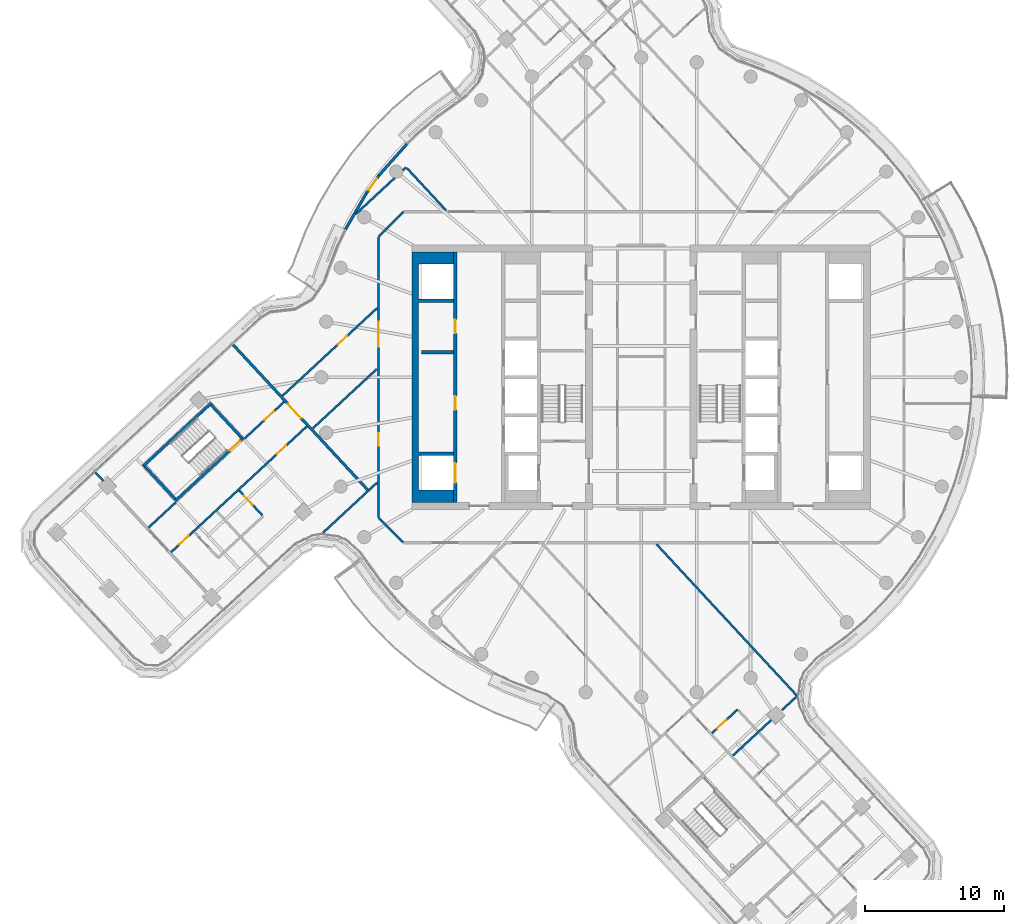
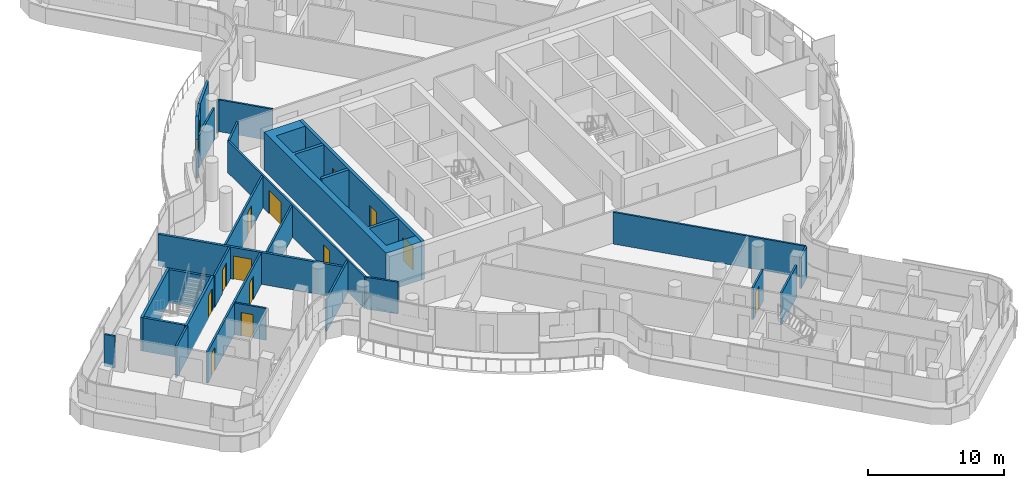
# One storey, part 22 of 34: 29 walls, 14 doors, 14 openings.
"""IFC4 building model written with IfcOpenShell, lengths in metres."""

from ifc_helpers import new_model, si_unit, direction, frame, frame_2d, origin, place, context, subcontext, project, spatial, polyline, rectangle, outline, extrude, material, layer, layer_set, type_object, element, fill, save


model = new_model("IFC4")

# Units and contexts
model_context = context("Model", 3, precision=1e-05, world=origin(), true_north=direction((0.0, 1.0)))
body_context = subcontext(model_context, "Body", "Model", "MODEL_VIEW")
ifc_project = project(units=[si_unit("LENGTHUNIT", "METRE"), si_unit("AREAUNIT", "SQUARE_METRE"), si_unit("VOLUMEUNIT", "CUBIC_METRE"), si_unit("PLANEANGLEUNIT", "RADIAN"), si_unit("MASSUNIT", "GRAM", prefix="KILO")], contexts=[model_context])

# Site, building, storey
site_placement = place(None, origin())
site = spatial("IfcSite", under=ifc_project, at=site_placement, CompositionType="ELEMENT")
building_placement = place(site_placement, origin())
building = spatial("IfcBuilding", under=site, at=building_placement, Name="Tamarind Cross Interchange Tower", CompositionType="ELEMENT")
storey_placement = place(building_placement, frame((0.0, 0.0, 189.699951171875)))
storey = spatial("IfcBuildingStorey", under=building, at=storey_placement, Name="L47", CompositionType="ELEMENT", Elevation=189.699951171875)

# Walls
ifc_material_1 = material(Name="Concrete C40", Category="concrete")
ifc_layer_1 = layer(ifc_material_1, 0.199951171875)
ifc_layer_set_1 = layer_set([ifc_layer_1], Name="Concrete C40")
wall_type_1 = type_object("IfcWallType", Name="Balcony and garden door wall", PredefinedType="SOLIDWALL", material=ifc_layer_set_1)
wall_1_placement = place(storey_placement, frame((-16.829833984375, 16.7939453125, 0.0), z_axis=(0.0, 0.0, 1.0), x_axis=(-0.664915269841, -0.746918793399, 0.0)))
element("IfcWall", 1, at=wall_1_placement, inside=storey, type_object=wall_type_1, Name="EXW-L47-06-D02L", PredefinedType="SOLIDWALL", context=body_context, shape_type="SweptSolid", body=[
    extrude(rectangle(XDim=3.02197265625, YDim=0.199951171875, at=frame_2d((1.510986328125, 0.0))), origin(), (0.0, 0.0, 1.0), 3.4599609375),
])
wall_2_placement = place(storey_placement, frame((-19.763427734375, 13.230712890625, 0.0), z_axis=(0.0, 0.0, 1.0), x_axis=(-0.500701704226, -0.865619895442, 0.0)))
element("IfcWall", 2, at=wall_2_placement, inside=storey, type_object=wall_type_1, Name="EXW-L47-06-D02R", PredefinedType="SOLIDWALL", context=body_context, shape_type="SweptSolid", body=[
    extrude(rectangle(XDim=3.020751953125, YDim=0.199951171875, at=frame_2d((1.51025390625, 0.0))), origin(), (0.0, 0.0, 1.0), 3.4599609375),
])

# Wall, opening, door
wall_3_placement = place(storey_placement, frame((-18.839111328125, 14.536865234375, 0.0), z_axis=(0.0, 0.0, 1.0), x_axis=(-0.577653217212, -0.816282280001, 0.0)))
wall_3 = element("IfcWall", 3, at=wall_3_placement, inside=storey, type_object=wall_type_1, Name="EXW-L47-06-D02", PredefinedType="SOLIDWALL", context=body_context, shape_type="SweptSolid", body=[
    extrude(rectangle(XDim=1.60009765625, YDim=0.199951171875, at=frame_2d((0.800048828125, 0.0))), origin(), (0.0, 0.0, 1.0), 3.4599609375),
])
opening_1_placement = place(wall_3_placement, frame((0.300048828125, 0.0, 0.0)))
opening_1 = element("IfcOpeningElement", 4, at=opening_1_placement, cuts=wall_3, Name="Opening D2", PredefinedType="OPENING", context=body_context, shape_type="SweptSolid", body=[
    extrude(rectangle(XDim=1.0, YDim=2.39990234375, at=frame_2d((0.5, 1.199951171875))), frame((0.0, 0.10986328125, 0.0), z_axis=(0.0, -1.0, 0.0), x_axis=(1.0, 0.0, 0.0)), (0.0, 0.0, 1.0), 0.219970703125),
])
ifc_material_2 = material(Name="Aluminium and toughened glass", Category="aluminium")
door_type_1 = type_object("IfcDoorType", Name="Balcony and garden door", OperationType="SINGLE_SWING_LEFT", PredefinedType="DOOR", material=ifc_material_2)
door_1_placement = place(opening_1_placement, origin())
door_1 = element("IfcDoor", 5, at=door_1_placement, inside=storey, type_object=door_type_1, Name="DOR-L47-06-02", OperationType="SINGLE_SWING_LEFT", OverallHeight=2.39990234375, OverallWidth=1.0, PredefinedType="DOOR", context=body_context, shape_type="SweptSolid", body=[
    extrude(rectangle(XDim=1.0, YDim=2.39990234375, at=frame_2d((0.5, 1.199951171875))), frame((0.0, 0.02490234375, 0.0), z_axis=(0.0, -1.0, 0.0), x_axis=(1.0, 0.0, 0.0)), (0.0, 0.0, 1.0), 0.050048828125),
])
fill(opening_1, door_1)

# Wall
ifc_material_3 = material(Name="Concrete C55", Category="concrete")
ifc_layer_2 = layer(ifc_material_3, 0.5)
ifc_layer_set_2 = layer_set([ifc_layer_2], Name="Concrete C55")
wall_type_2 = type_object("IfcWallType", Name="Core wall 500 mm Concrete C55", PredefinedType="SHEAR", material=ifc_layer_set_2)
wall_4_placement = place(storey_placement, origin())
element("IfcWall", 6, at=wall_4_placement, inside=storey, type_object=wall_type_2, Name="Core wall CWL-L47-W-A", PredefinedType="SHEAR", context=body_context, shape_type="SweptSolid", body=[
    extrude(outline(polyline([(-13.5, -8.125), (-16.0, -8.125), (-16.0, -5.625), (-13.5, -5.625), (-13.5, -5.375), (-16.0, -5.375), (-16.0, 5.375), (-13.5, 5.375), (-13.5, 5.625), (-16.0, 5.625), (-16.0, 8.125), (-13.5, 8.125), (-13.5, 9.0), (-16.0, 9.0), (-16.5, 9.0), (-16.5, -9.0), (-16.0, -9.0), (-13.5, -9.0), (-13.5, -8.125)])), origin(), (0.0, 0.0, 1.0), 3.4599609375),
])

# Wall, openings, doors
ifc_layer_3 = layer(ifc_material_3, 0.25)
ifc_layer_set_3 = layer_set([ifc_layer_3], Name="Concrete C55")
wall_type_3 = type_object("IfcWallType", Name="Core web wall 250 mm Concrete C55", PredefinedType="SHEAR", material=ifc_layer_set_3)
wall_5_placement = place(storey_placement, frame((-13.375, -9.0, 0.0), z_axis=(0.0, 0.0, 1.0), x_axis=(0.0, 1.0, 0.0)))
wall_5 = element("IfcWall", 7, at=wall_5_placement, inside=storey, type_object=wall_type_3, Name="Core wall CWL-L47-W-LA", PredefinedType="SHEAR", context=body_context, shape_type="SweptSolid", body=[
    extrude(rectangle(XDim=18.0, YDim=0.25, at=frame_2d((9.0, 0.0))), origin(), (0.0, 0.0, 1.0), 3.4599609375),
])
opening_2_placement = place(wall_5_placement, frame((1.425048828125, 0.0, 0.0)))
opening_2 = element("IfcOpeningElement", 8, at=opening_2_placement, cuts=wall_5, Name="Opening LD1L47", PredefinedType="OPENING", context=body_context, shape_type="SweptSolid", body=[
    extrude(rectangle(XDim=1.39990234375, YDim=2.10009765625, at=frame_2d((0.699951171875, 1.050048828125))), frame((0.0, 0.135009765625, 0.0), z_axis=(0.0, -1.0, 0.0), x_axis=(1.0, 0.0, 0.0)), (0.0, 0.0, 1.0), 0.27001953125),
])
opening_3_placement = place(wall_5_placement, frame((6.64599609375, 0.0, 0.0)))
opening_3 = element("IfcOpeningElement", 9, at=opening_3_placement, cuts=wall_5, Name="Opening DCW9", PredefinedType="OPENING", context=body_context, shape_type="SweptSolid", body=[
    extrude(rectangle(XDim=1.0, YDim=2.10009765625, at=frame_2d((0.5, 1.050048828125))), frame((0.0, 0.135009765625, 0.0), z_axis=(0.0, -1.0, 0.0), x_axis=(1.0, 0.0, 0.0)), (0.0, 0.0, 1.0), 0.27001953125),
])
opening_4_placement = place(wall_5_placement, frame((12.14599609375, 0.0, 0.0)))
opening_4 = element("IfcOpeningElement", 10, at=opening_4_placement, cuts=wall_5, Name="Opening DCW10", PredefinedType="OPENING", context=body_context, shape_type="SweptSolid", body=[
    extrude(rectangle(XDim=1.0, YDim=2.10009765625, at=frame_2d((0.5, 1.050048828125))), frame((0.0, 0.135009765625, 0.0), z_axis=(0.0, -1.0, 0.0), x_axis=(1.0, 0.0, 0.0)), (0.0, 0.0, 1.0), 0.27001953125),
])
ifc_material_4 = material(Name="Steel, fire-resisting", Category="steel")
door_type_2 = type_object("IfcDoorType", Name="Core fire door 1000 x 2100 FD90", OperationType="SINGLE_SWING_LEFT", PredefinedType="DOOR", material=ifc_material_4)
door_2_placement = place(opening_3_placement, origin())
door_2 = element("IfcDoor", 11, at=door_2_placement, inside=storey, type_object=door_type_2, Name="L47 Guest laundry door", OperationType="SINGLE_SWING_LEFT", OverallHeight=2.10009765625, OverallWidth=1.0, PredefinedType="DOOR", context=body_context, shape_type="SweptSolid", body=[
    extrude(rectangle(XDim=1.0, YDim=2.10009765625, at=frame_2d((0.5, 1.050048828125))), frame((0.0, 0.02490234375, 0.0), z_axis=(0.0, -1.0, 0.0), x_axis=(1.0, 0.0, 0.0)), (0.0, 0.0, 1.0), 0.050048828125),
])
fill(opening_3, door_2)
door_3_placement = place(opening_4_placement, origin())
door_3 = element("IfcDoor", 12, at=door_3_placement, inside=storey, type_object=door_type_2, Name="L47 Housekeeping pantry door", OperationType="SINGLE_SWING_LEFT", OverallHeight=2.10009765625, OverallWidth=1.0, PredefinedType="DOOR", context=body_context, shape_type="SweptSolid", body=[
    extrude(rectangle(XDim=1.0, YDim=2.10009765625, at=frame_2d((0.5, 1.050048828125))), frame((0.0, 0.02490234375, 0.0), z_axis=(0.0, -1.0, 0.0), x_axis=(1.0, 0.0, 0.0)), (0.0, 0.0, 1.0), 0.050048828125),
])
fill(opening_4, door_3)
ifc_material_5 = material(Name="Stainless steel panel", Category="steel")
door_type_3 = type_object("IfcDoorType", Name="Lift landing door 1400 x 2100 E 120", OperationType="SLIDING_TO_LEFT", PredefinedType="DOOR", material=ifc_material_5)
door_4_placement = place(opening_2_placement, origin())
door_4 = element("IfcDoor", 13, at=door_4_placement, inside=storey, type_object=door_type_3, Name="L47 landing door LF1", OperationType="SLIDING_TO_LEFT", OverallHeight=2.10009765625, OverallWidth=1.39990234375, PredefinedType="DOOR", context=body_context, shape_type="SweptSolid", body=[
    extrude(rectangle(XDim=1.39990234375, YDim=2.10009765625, at=frame_2d((0.699951171875, 1.050048828125))), frame((0.0, 0.02490234375, 0.0), z_axis=(0.0, -1.0, 0.0), x_axis=(1.0, 0.0, 0.0)), (0.0, 0.0, 1.0), 0.050048828125),
])
fill(opening_2, door_4)

# Wall
ifc_material_6 = material(Name="Gypsum board partition on steel studs", Category="steel")
ifc_layer_4 = layer(ifc_material_6, 0.14990234375)
ifc_layer_set_4 = layer_set([ifc_layer_4], Name="Gypsum board partition on steel studs")
wall_type_4 = type_object("IfcWallType", Name="Partition 150 mm EI 120", PredefinedType="PARTITIONING", material=ifc_layer_set_4)
wall_6_placement = place(storey_placement, frame((-39.240234375, -6.849853515625, 0.0), z_axis=(0.0, 0.0, 1.0), x_axis=(0.679768554624, -0.733426691731, 0.0)))
element("IfcWall", 14, at=wall_6_placement, inside=storey, type_object=wall_type_4, Name="Partition L47-001", PredefinedType="PARTITIONING", context=body_context, shape_type="SweptSolid", body=[
    extrude(rectangle(XDim=0.823486328125, YDim=0.14990234375, at=frame_2d((0.41162109375, 0.0))), origin(), (0.0, 0.0, 1.0), 2.864013671875),
])

# Wall, opening, door
wall_7_placement = place(storey_placement, frame((-28.902587890625, -8.145751953125, 0.0), z_axis=(0.0, 0.0, 1.0), x_axis=(0.679895641556, -0.733308882118, 0.0)))
wall_7 = element("IfcWall", 15, at=wall_7_placement, inside=storey, type_object=wall_type_4, Name="Partition L47-007", PredefinedType="PARTITIONING", context=body_context, shape_type="SweptSolid", body=[
    extrude(rectangle(XDim=2.4453125, YDim=0.14990234375, at=frame_2d((1.22265625, 0.0))), origin(), (0.0, 0.0, 1.0), 2.864013671875),
])
opening_5_placement = place(wall_7_placement, frame((0.52001953125, 0.0, 0.0)))
opening_5 = element("IfcOpeningElement", 16, at=opening_5_placement, cuts=wall_7, Name="Opening D04", PredefinedType="OPENING", context=body_context, shape_type="SweptSolid", body=[
    extrude(rectangle(XDim=0.89990234375, YDim=2.10009765625, at=frame_2d((0.449951171875, 1.050048828125))), frame((0.0, 0.0849609375, 0.0), z_axis=(0.0, -1.0, 0.0), x_axis=(1.0, 0.0, 0.0)), (0.0, 0.0, 1.0), 0.169921875),
])
ifc_material_7 = material(Name="Fire-resisting door set")
door_type_4 = type_object("IfcDoorType", Name="Interior door 900 x 2100 FD60S", OperationType="SINGLE_SWING_LEFT", PredefinedType="DOOR", material=ifc_material_7)
door_5_placement = place(opening_5_placement, frame((0.89990234375, 0.0, 0.0), z_axis=(0.0, 0.0, 1.0), x_axis=(-1.0, 0.0, 0.0)))
door_5 = element("IfcDoor", 17, at=door_5_placement, inside=storey, type_object=door_type_4, Name="Door D04", OperationType="SINGLE_SWING_LEFT", OverallHeight=2.10009765625, OverallWidth=0.89990234375, PredefinedType="DOOR", context=body_context, shape_type="SweptSolid", body=[
    extrude(rectangle(XDim=0.89990234375, YDim=2.10009765625, at=frame_2d((0.449951171875, 1.050048828125))), frame((0.0, 0.02490234375, 0.0), z_axis=(0.0, -1.0, 0.0), x_axis=(1.0, 0.0, 0.0)), (0.0, 0.0, 1.0), 0.050048828125),
])
fill(opening_5, door_5)

# Walls
wall_8_placement = place(storey_placement, frame((-16.85009765625, 15.037109375, 0.0), z_axis=(0.0, 0.0, 1.0), x_axis=(0.67983906824, -0.733361330651, 0.0)))
element("IfcWall", 18, at=wall_8_placement, inside=storey, type_object=wall_type_4, Name="Partition L47-008", PredefinedType="PARTITIONING", context=body_context, shape_type="SweptSolid", body=[
    extrude(rectangle(XDim=4.1328125, YDim=0.14990234375, at=frame_2d((2.06640625, 0.0))), origin(), (0.0, 0.0, 1.0), 2.864013671875),
])
wall_9_placement = place(storey_placement, frame((1.09765625, -12.00634765625, 0.0), z_axis=(0.0, 0.0, 1.0), x_axis=(0.679949372444, -0.733259061255, 0.0)))
element("IfcWall", 19, at=wall_9_placement, inside=storey, type_object=wall_type_4, Name="Partition L47-025", PredefinedType="PARTITIONING", context=body_context, shape_type="SweptSolid", body=[
    extrude(rectangle(XDim=14.8427734375, YDim=0.14990234375, at=frame_2d((7.42138671875, 0.0))), origin(), (0.0, 0.0, 1.0), 2.864013671875),
])
wall_10_placement = place(storey_placement, frame((-18.87158203125, -10.12841796875, 0.0), z_axis=(0.0, 0.0, 1.0), x_axis=(0.707106781187, -0.707106781187, 0.0)))
element("IfcWall", 20, at=wall_10_placement, inside=storey, type_object=wall_type_4, Name="Partition L47-034", PredefinedType="PARTITIONING", context=body_context, shape_type="SweptSolid", body=[
    extrude(rectangle(XDim=2.465087890625, YDim=0.14990234375, at=frame_2d((1.232421875, 0.0))), origin(), (0.0, 0.0, 1.0), 2.864013671875),
])
wall_11_placement = place(storey_placement, frame((-35.443359375, -10.82861328125, 0.0), z_axis=(0.0, 0.0, 1.0), x_axis=(0.733289623381, 0.679916412687, 0.0)))
element("IfcWall", 21, at=wall_11_placement, inside=storey, type_object=wall_type_4, Name="Partition L47-044", PredefinedType="PARTITIONING", context=body_context, shape_type="SweptSolid", body=[
    extrude(rectangle(XDim=2.680419921875, YDim=0.14990234375, at=frame_2d((1.34033203125, 0.0))), origin(), (0.0, 0.0, 1.0), 2.864013671875),
])

# Wall, opening, door
wall_12_placement = place(storey_placement, frame((-28.505859375, -4.396240234375, 0.0), z_axis=(0.0, 0.0, 1.0), x_axis=(0.733324917734, 0.679878345758, 0.0)))
wall_12 = element("IfcWall", 22, at=wall_12_placement, inside=storey, type_object=wall_type_4, Name="Partition L47-045", PredefinedType="PARTITIONING", context=body_context, shape_type="SweptSolid", body=[
    extrude(rectangle(XDim=3.85986328125, YDim=0.14990234375, at=frame_2d((1.929931640625, 0.0))), origin(), (0.0, 0.0, 1.0), 2.864013671875),
])
opening_6_placement = place(wall_12_placement, frame((1.949951171875, 0.0, 0.0)))
opening_6 = element("IfcOpeningElement", 23, at=opening_6_placement, cuts=wall_12, Name="Opening D28", PredefinedType="OPENING", context=body_context, shape_type="SweptSolid", body=[
    extrude(rectangle(XDim=0.89990234375, YDim=2.10009765625, at=frame_2d((0.449951171875, 1.050048828125))), frame((0.0, 0.0849609375, 0.0), z_axis=(0.0, -1.0, 0.0), x_axis=(1.0, 0.0, 0.0)), (0.0, 0.0, 1.0), 0.169921875),
])
door_6_placement = place(opening_6_placement, origin())
door_6 = element("IfcDoor", 24, at=door_6_placement, inside=storey, type_object=door_type_4, Name="Door D28", OperationType="SINGLE_SWING_LEFT", OverallHeight=2.10009765625, OverallWidth=0.89990234375, PredefinedType="DOOR", context=body_context, shape_type="SweptSolid", body=[
    extrude(rectangle(XDim=0.89990234375, YDim=2.10009765625, at=frame_2d((0.449951171875, 1.050048828125))), frame((0.0, 0.02490234375, 0.0), z_axis=(0.0, -1.0, 0.0), x_axis=(1.0, 0.0, 0.0)), (0.0, 0.0, 1.0), 0.050048828125),
])
fill(opening_6, door_6)

# Wall, openings, doors
wall_13_placement = place(storey_placement, frame((-33.811279296875, -12.587646484375, 0.0), z_axis=(0.0, 0.0, 1.0), x_axis=(0.733353393203, 0.679847630486, 0.0)))
wall_13 = element("IfcWall", 25, at=wall_13_placement, inside=storey, type_object=wall_type_4, Name="Partition L47-046", PredefinedType="PARTITIONING", context=body_context, shape_type="SweptSolid", body=[
    extrude(rectangle(XDim=13.319091796875, YDim=0.14990234375, at=frame_2d((6.65966796875, 0.0))), origin(), (0.0, 0.0, 1.0), 2.864013671875),
])
opening_7_placement = place(wall_13_placement, frame((10.36962890625, 0.0, 0.0)))
opening_7 = element("IfcOpeningElement", 26, at=opening_7_placement, cuts=wall_13, Name="Opening D29", PredefinedType="OPENING", context=body_context, shape_type="SweptSolid", body=[
    extrude(rectangle(XDim=0.89990234375, YDim=2.10009765625, at=frame_2d((0.449951171875, 1.050048828125))), frame((0.0, 0.0849609375, 0.0), z_axis=(0.0, -1.0, 0.0), x_axis=(1.0, 0.0, 0.0)), (0.0, 0.0, 1.0), 0.169921875),
])
opening_8_placement = place(wall_13_placement, frame((0.820068359375, 0.0, 0.0)))
opening_8 = element("IfcOpeningElement", 27, at=opening_8_placement, cuts=wall_13, Name="Opening D30", PredefinedType="OPENING", context=body_context, shape_type="SweptSolid", body=[
    extrude(rectangle(XDim=0.89990234375, YDim=2.10009765625, at=frame_2d((0.449951171875, 1.050048828125))), frame((0.0, 0.0849609375, 0.0), z_axis=(0.0, -1.0, 0.0), x_axis=(1.0, 0.0, 0.0)), (0.0, 0.0, 1.0), 0.169921875),
])
door_7_placement = place(opening_7_placement, frame((0.89990234375, 0.0, 0.0), z_axis=(0.0, 0.0, 1.0), x_axis=(-1.0, 0.0, 0.0)))
door_7 = element("IfcDoor", 28, at=door_7_placement, inside=storey, type_object=door_type_4, Name="Door D29", OperationType="SINGLE_SWING_RIGHT", OverallHeight=2.10009765625, OverallWidth=0.89990234375, PredefinedType="DOOR", context=body_context, shape_type="SweptSolid", body=[
    extrude(rectangle(XDim=0.89990234375, YDim=2.10009765625, at=frame_2d((0.449951171875, 1.050048828125))), frame((0.0, 0.02490234375, 0.0), z_axis=(0.0, -1.0, 0.0), x_axis=(1.0, 0.0, 0.0)), (0.0, 0.0, 1.0), 0.050048828125),
])
fill(opening_7, door_7)
door_8_placement = place(opening_8_placement, frame((0.89990234375, 0.0, 0.0), z_axis=(0.0, 0.0, 1.0), x_axis=(-1.0, 0.0, 0.0)))
door_8 = element("IfcDoor", 29, at=door_8_placement, inside=storey, type_object=door_type_4, Name="Door D30", OperationType="SINGLE_SWING_LEFT", OverallHeight=2.10009765625, OverallWidth=0.89990234375, PredefinedType="DOOR", context=body_context, shape_type="SweptSolid", body=[
    extrude(rectangle(XDim=0.89990234375, YDim=2.10009765625, at=frame_2d((0.449951171875, 1.050048828125))), frame((0.0, 0.02490234375, 0.0), z_axis=(0.0, -1.0, 0.0), x_axis=(1.0, 0.0, 0.0)), (0.0, 0.0, 1.0), 0.050048828125),
])
fill(opening_8, door_8)

# Wall, opening, door
wall_14_placement = place(storey_placement, frame((-25.80078125, -1.342041015625, 0.0), z_axis=(0.0, 0.0, 1.0), x_axis=(0.733307567505, 0.679897059444, 0.0)))
wall_14 = element("IfcWall", 30, at=wall_14_placement, inside=storey, type_object=wall_type_4, Name="Partition L47-048", PredefinedType="PARTITIONING", context=body_context, shape_type="SweptSolid", body=[
    extrude(rectangle(XDim=9.265380859375, YDim=0.14990234375, at=frame_2d((4.6328125, 0.0))), origin(), (0.0, 0.0, 1.0), 2.864013671875),
])
opening_9_placement = place(wall_14_placement, frame((5.449951171875, 0.0, 0.0)))
opening_9 = element("IfcOpeningElement", 31, at=opening_9_placement, cuts=wall_14, Name="Opening D31", PredefinedType="OPENING", context=body_context, shape_type="SweptSolid", body=[
    extrude(rectangle(XDim=0.89990234375, YDim=2.10009765625, at=frame_2d((0.449951171875, 1.050048828125))), frame((0.0, 0.0849609375, 0.0), z_axis=(0.0, -1.0, 0.0), x_axis=(1.0, 0.0, 0.0)), (0.0, 0.0, 1.0), 0.169921875),
])
door_9_placement = place(opening_9_placement, origin())
door_9 = element("IfcDoor", 32, at=door_9_placement, inside=storey, type_object=door_type_4, Name="Door D31", OperationType="SINGLE_SWING_LEFT", OverallHeight=2.10009765625, OverallWidth=0.89990234375, PredefinedType="DOOR", context=body_context, shape_type="SweptSolid", body=[
    extrude(rectangle(XDim=0.89990234375, YDim=2.10009765625, at=frame_2d((0.449951171875, 1.050048828125))), frame((0.0, 0.02490234375, 0.0), z_axis=(0.0, -1.0, 0.0), x_axis=(1.0, 0.0, 0.0)), (0.0, 0.0, 1.0), 0.050048828125),
])
fill(opening_9, door_9)

# Walls
wall_15_placement = place(storey_placement, frame((-23.611083984375, -3.67529296875, 0.0), z_axis=(0.0, 0.0, 1.0), x_axis=(0.73335133344, 0.679849852351, 0.0)))
element("IfcWall", 33, at=wall_15_placement, inside=storey, type_object=wall_type_4, Name="Partition L47-049", PredefinedType="PARTITIONING", context=body_context, shape_type="SweptSolid", body=[
    extrude(rectangle(XDim=6.279052734375, YDim=0.14990234375, at=frame_2d((3.1396484375, 0.0))), origin(), (0.0, 0.0, 1.0), 2.864013671875),
])
wall_16_placement = place(storey_placement, frame((-22.889892578125, -11.18994140625, 0.0), z_axis=(0.0, 0.0, 1.0), x_axis=(0.733248099132, 0.679961193833, 0.0)))
element("IfcWall", 34, at=wall_16_placement, inside=storey, type_object=wall_type_4, Name="Partition L47-050", PredefinedType="PARTITIONING", context=body_context, shape_type="SweptSolid", body=[
    extrude(rectangle(XDim=5.29638671875, YDim=0.14990234375, at=frame_2d((2.648193359375, 0.0))), origin(), (0.0, 0.0, 1.0), 2.864013671875),
])
wall_17_placement = place(storey_placement, frame((-20.542236328125, 11.71533203125, 0.0), z_axis=(0.0, 0.0, 1.0), x_axis=(0.733232438966, 0.679978080858, 0.0)))
element("IfcWall", 35, at=wall_17_placement, inside=storey, type_object=wall_type_4, Name="Partition L47-051", PredefinedType="PARTITIONING", context=body_context, shape_type="SweptSolid", body=[
    extrude(rectangle(XDim=3.841796875, YDim=0.14990234375, at=frame_2d((1.9208984375, 0.0))), origin(), (0.0, 0.0, 1.0), 2.864013671875),
])
wall_18_placement = place(storey_placement, frame((-17.15380859375, 14.857666015625, 0.0), z_axis=(0.0, 0.0, 1.0), x_axis=(0.733499168144, 0.679690348859, 0.0)))
element("IfcWall", 36, at=wall_18_placement, inside=storey, type_object=wall_type_4, Name="Partition L47-052", PredefinedType="PARTITIONING", context=body_context, shape_type="SweptSolid", body=[
    extrude(rectangle(XDim=0.3447265625, YDim=0.14990234375, at=frame_2d((0.17236328125, 0.0))), origin(), (0.0, 0.0, 1.0), 2.864013671875),
])

# Wall, opening, door
wall_19_placement = place(storey_placement, frame((5.085693359375, -25.6025390625, 0.0), z_axis=(0.0, 0.0, 1.0), x_axis=(0.733334885153, 0.679867594623, 0.0)))
wall_19 = element("IfcWall", 37, at=wall_19_placement, inside=storey, type_object=wall_type_4, Name="Partition L47-071", PredefinedType="PARTITIONING", context=body_context, shape_type="SweptSolid", body=[
    extrude(rectangle(XDim=2.5205078125, YDim=0.14990234375, at=frame_2d((1.26025390625, 0.0))), origin(), (0.0, 0.0, 1.0), 2.864013671875),
])
opening_10_placement = place(wall_19_placement, frame((0.52001953125, 0.0, 0.0)))
opening_10 = element("IfcOpeningElement", 38, at=opening_10_placement, cuts=wall_19, Name="Opening D41", PredefinedType="OPENING", context=body_context, shape_type="SweptSolid", body=[
    extrude(rectangle(XDim=0.89990234375, YDim=2.10009765625, at=frame_2d((0.449951171875, 1.050048828125))), frame((0.0, 0.0849609375, 0.0), z_axis=(0.0, -1.0, 0.0), x_axis=(1.0, 0.0, 0.0)), (0.0, 0.0, 1.0), 0.169921875),
])
door_10_placement = place(opening_10_placement, frame((0.89990234375, 0.0, 0.0), z_axis=(0.0, 0.0, 1.0), x_axis=(-1.0, 0.0, 0.0)))
door_10 = element("IfcDoor", 39, at=door_10_placement, inside=storey, type_object=door_type_4, Name="Door D41", OperationType="SINGLE_SWING_LEFT", OverallHeight=2.10009765625, OverallWidth=0.89990234375, PredefinedType="DOOR", context=body_context, shape_type="SweptSolid", body=[
    extrude(rectangle(XDim=0.89990234375, YDim=2.10009765625, at=frame_2d((0.449951171875, 1.050048828125))), frame((0.0, 0.02490234375, 0.0), z_axis=(0.0, -1.0, 0.0), x_axis=(1.0, 0.0, 0.0)), (0.0, 0.0, 1.0), 0.050048828125),
])
fill(opening_10, door_10)

# Walls
wall_20_placement = place(storey_placement, frame((6.581787109375, -27.215576171875, 0.0), z_axis=(0.0, 0.0, 1.0), x_axis=(0.733534363926, 0.679652364772, 0.0)))
element("IfcWall", 40, at=wall_20_placement, inside=storey, type_object=wall_type_4, Name="Partition L47-072", PredefinedType="PARTITIONING", context=body_context, shape_type="SweptSolid", body=[
    extrude(rectangle(XDim=3.765380859375, YDim=0.14990234375, at=frame_2d((1.8828125, 0.0))), origin(), (0.0, 0.0, 1.0), 2.864013671875),
])
wall_21_placement = place(storey_placement, frame((10.12353515625, -23.93359375, 0.0), z_axis=(0.0, 0.0, 1.0), x_axis=(0.733607408011, 0.679573521344, 0.0)))
element("IfcWall", 41, at=wall_21_placement, inside=storey, type_object=wall_type_4, Name="Partition L47-073", PredefinedType="PARTITIONING", context=body_context, shape_type="SweptSolid", body=[
    extrude(rectangle(XDim=1.44140625, YDim=0.14990234375, at=frame_2d((0.720703125, 0.0))), origin(), (0.0, 0.0, 1.0), 2.864013671875),
])
wall_22_placement = place(storey_placement, frame((-18.87158203125, 10.12841796875, 0.0), z_axis=(0.0, 0.0, 1.0), x_axis=(0.707106781187, 0.707106781187, 0.0)))
element("IfcWall", 42, at=wall_22_placement, inside=storey, type_object=wall_type_4, Name="Partition L47-088", PredefinedType="PARTITIONING", context=body_context, shape_type="SweptSolid", body=[
    extrude(rectangle(XDim=2.50537109375, YDim=0.14990234375, at=frame_2d((1.252685546875, 0.0))), origin(), (0.0, 0.0, 1.0), 2.864013671875),
])

# Wall, openings, doors
wall_23_placement = place(storey_placement, frame((-18.89990234375, -10.10009765625, 0.0), z_axis=(0.0, 0.0, 1.0), x_axis=(0.0, 1.0, 0.0)))
wall_23 = element("IfcWall", 43, at=wall_23_placement, inside=storey, type_object=wall_type_4, Name="Partition L47-090", PredefinedType="PARTITIONING", context=body_context, shape_type="SweptSolid", body=[
    extrude(rectangle(XDim=20.2001953125, YDim=0.14990234375, at=frame_2d((10.10009765625, 0.0))), origin(), (0.0, 0.0, 1.0), 2.864013671875),
])
opening_11_placement = place(wall_23_placement, frame((12.2919921875, 0.0, 0.0)))
opening_11 = element("IfcOpeningElement", 44, at=opening_11_placement, cuts=wall_23, Name="Opening D47", PredefinedType="OPENING", context=body_context, shape_type="SweptSolid", body=[
    extrude(rectangle(XDim=1.800048828125, YDim=2.10009765625, at=frame_2d((0.89990234375, 1.050048828125))), frame((0.0, 0.0849609375, 0.0), z_axis=(0.0, -1.0, 0.0), x_axis=(1.0, 0.0, 0.0)), (0.0, 0.0, 1.0), 0.169921875),
])
opening_12_placement = place(wall_23_placement, frame((5.159912109375, 0.0, 0.0)))
opening_12 = element("IfcOpeningElement", 45, at=opening_12_placement, cuts=wall_23, Name="Opening D48", PredefinedType="OPENING", context=body_context, shape_type="SweptSolid", body=[
    extrude(rectangle(XDim=0.89990234375, YDim=2.10009765625, at=frame_2d((0.449951171875, 1.050048828125))), frame((0.0, 0.0849609375, 0.0), z_axis=(0.0, -1.0, 0.0), x_axis=(1.0, 0.0, 0.0)), (0.0, 0.0, 1.0), 0.169921875),
])
door_type_5 = type_object("IfcDoorType", Name="Interior door 1800 x 2100 FD60S", OperationType="DOUBLE_DOOR_SINGLE_SWING", PredefinedType="DOOR", material=ifc_material_7)
door_11_placement = place(opening_11_placement, frame((1.800048828125, 0.0, 0.0), z_axis=(0.0, 0.0, 1.0), x_axis=(-1.0, 0.0, 0.0)))
door_11 = element("IfcDoor", 46, at=door_11_placement, inside=storey, type_object=door_type_5, Name="Door D47", OperationType="DOUBLE_DOOR_SINGLE_SWING", OverallHeight=2.10009765625, OverallWidth=1.800048828125, PredefinedType="DOOR", context=body_context, shape_type="SweptSolid", body=[
    extrude(rectangle(XDim=1.800048828125, YDim=2.10009765625, at=frame_2d((0.89990234375, 1.050048828125))), frame((0.0, 0.02490234375, 0.0), z_axis=(0.0, -1.0, 0.0), x_axis=(1.0, 0.0, 0.0)), (0.0, 0.0, 1.0), 0.050048828125),
])
fill(opening_11, door_11)
door_12_placement = place(opening_12_placement, origin())
door_12 = element("IfcDoor", 47, at=door_12_placement, inside=storey, type_object=door_type_4, Name="Door D48", OperationType="SINGLE_SWING_RIGHT", OverallHeight=2.10009765625, OverallWidth=0.89990234375, PredefinedType="DOOR", context=body_context, shape_type="SweptSolid", body=[
    extrude(rectangle(XDim=0.89990234375, YDim=2.10009765625, at=frame_2d((0.449951171875, 1.050048828125))), frame((0.0, 0.02490234375, 0.0), z_axis=(0.0, -1.0, 0.0), x_axis=(1.0, 0.0, 0.0)), (0.0, 0.0, 1.0), 0.050048828125),
])
fill(opening_12, door_12)

# Wall, opening, door
ifc_layer_5 = layer(ifc_material_6, 0.199951171875)
ifc_layer_set_5 = layer_set([ifc_layer_5], Name="Gypsum board partition on steel studs")
wall_type_5 = type_object("IfcWallType", Name="Partition 200 mm EI 180", PredefinedType="PARTITIONING", material=ifc_layer_set_5)
wall_24_placement = place(storey_placement, frame((-29.341552734375, 2.328369140625, 0.0), z_axis=(0.0, 0.0, 1.0), x_axis=(0.679974811844, -0.73323547054, 0.0)))
wall_24 = element("IfcWall", 48, at=wall_24_placement, inside=storey, type_object=wall_type_5, Name="Partition L47-006", PredefinedType="PARTITIONING", context=body_context, shape_type="SweptSolid", body=[
    extrude(rectangle(XDim=14.21923828125, YDim=0.199951171875, at=frame_2d((7.109619140625, 0.0))), origin(), (0.0, 0.0, 1.0), 2.864013671875),
])
opening_13_placement = place(wall_24_placement, frame((5.799560546875, 0.0, 0.0)))
opening_13 = element("IfcOpeningElement", 49, at=opening_13_placement, cuts=wall_24, Name="Opening D03", PredefinedType="OPENING", context=body_context, shape_type="SweptSolid", body=[
    extrude(rectangle(XDim=1.39990234375, YDim=2.10009765625, at=frame_2d((0.699951171875, 1.050048828125))), frame((0.0, 0.10986328125, 0.0), z_axis=(0.0, -1.0, 0.0), x_axis=(1.0, 0.0, 0.0)), (0.0, 0.0, 1.0), 0.219970703125),
])
door_type_6 = type_object("IfcDoorType", Name="Interior door 1400 x 2100 FD120S", OperationType="DOUBLE_DOOR_SINGLE_SWING", PredefinedType="DOOR", material=ifc_material_7)
door_13_placement = place(opening_13_placement, origin())
door_13 = element("IfcDoor", 50, at=door_13_placement, inside=storey, type_object=door_type_6, Name="Door D03", OperationType="DOUBLE_DOOR_SINGLE_SWING", OverallHeight=2.10009765625, OverallWidth=1.39990234375, PredefinedType="DOOR", context=body_context, shape_type="SweptSolid", body=[
    extrude(rectangle(XDim=1.39990234375, YDim=2.10009765625, at=frame_2d((0.699951171875, 1.050048828125))), frame((0.0, 0.02490234375, 0.0), z_axis=(0.0, -1.0, 0.0), x_axis=(1.0, 0.0, 0.0)), (0.0, 0.0, 1.0), 0.050048828125),
])
fill(opening_13, door_13)

# Wall
ifc_layer_6 = layer(ifc_material_1, 0.25)
ifc_layer_set_6 = layer_set([ifc_layer_6], Name="Concrete C40")
wall_type_6 = type_object("IfcWallType", Name="Shaft and lobby wall 250 mm Concrete C40", PredefinedType="PARTITIONING", material=ifc_layer_set_6)
wall_25_placement = place(storey_placement, frame((-15.800048828125, 1.7919921875, 0.0), z_axis=(0.0, 0.0, 1.0), x_axis=(1.0, 0.0, 0.0)))
element("IfcWall", 51, at=wall_25_placement, inside=storey, type_object=wall_type_6, Name="Shaft wall CWL-L47-W-FPA1", PredefinedType="PARTITIONING", context=body_context, shape_type="SweptSolid", body=[
    extrude(rectangle(XDim=2.300048828125, YDim=0.25, at=frame_2d((1.14990234375, 0.0))), origin(), (0.0, 0.0, 1.0), 3.4599609375),
])

# Wall, opening, door
ifc_layer_7 = layer(ifc_material_1, 0.199951171875)
ifc_layer_set_7 = layer_set([ifc_layer_7], Name="Concrete C40")
wall_type_7 = type_object("IfcWallType", Name="Stair shaft wall 200 mm Concrete C40", PredefinedType="SHEAR", material=ifc_layer_set_7)
wall_26_placement = place(storey_placement, frame((-28.603515625, -4.35009765625, -0.139892578125), z_axis=(0.0, 0.0, 1.0), x_axis=(-0.733294251551, -0.679911421173, 0.0)))
wall_26 = element("IfcWall", 52, at=wall_26_placement, inside=storey, type_object=wall_type_7, Name="Core wall CWL-L47-ST5-H", PredefinedType="SHEAR", context=body_context, shape_type="SweptSolid", body=[
    extrude(rectangle(XDim=6.699951171875, YDim=0.199951171875, at=frame_2d((3.35009765625, 0.0))), origin(), (0.0, 0.0, 1.0), 3.00390625),
])
opening_14_placement = place(wall_26_placement, frame((0.35009765625, 0.0, 0.0)))
opening_14 = element("IfcOpeningElement", 53, at=opening_14_placement, cuts=wall_26, Name="Opening ST5L47", PredefinedType="OPENING", context=body_context, shape_type="SweptSolid", body=[
    extrude(rectangle(XDim=1.0, YDim=2.10009765625, at=frame_2d((0.5, 1.050048828125))), frame((0.0, 0.10986328125, 0.0), z_axis=(0.0, -1.0, 0.0), x_axis=(1.0, 0.0, 0.0)), (0.0, 0.0, 1.0), 0.219970703125),
])
door_14_placement = place(opening_14_placement, origin())
door_14 = element("IfcDoor", 54, at=door_14_placement, inside=storey, type_object=door_type_2, Name="L47 stair door ST5", OperationType="SINGLE_SWING_LEFT", OverallHeight=2.10009765625, OverallWidth=1.0, PredefinedType="DOOR", context=body_context, shape_type="SweptSolid", body=[
    extrude(rectangle(XDim=1.0, YDim=2.10009765625, at=frame_2d((0.5, 1.050048828125))), frame((0.0, 0.02490234375, 0.0), z_axis=(0.0, -1.0, 0.0), x_axis=(1.0, 0.0, 0.0)), (0.0, 0.0, 1.0), 0.050048828125),
])
fill(opening_14, door_14)

# Walls
wall_27_placement = place(storey_placement, frame((-30.915283203125, -1.856689453125, -0.139892578125), z_axis=(0.0, 0.0, 1.0), x_axis=(-0.733276084264, -0.679931014329, 0.0)))
element("IfcWall", 55, at=wall_27_placement, inside=storey, type_object=wall_type_7, Name="Core wall CWL-L47-ST5-C", PredefinedType="SHEAR", context=body_context, shape_type="SweptSolid", body=[
    extrude(rectangle(XDim=6.7001953125, YDim=0.199951171875, at=frame_2d((3.35009765625, 0.0))), origin(), (0.0, 0.0, 1.0), 3.00390625),
])
wall_28_placement = place(storey_placement, frame((-30.920654296875, -1.998291015625, -0.139892578125), z_axis=(0.0, 0.0, 1.0), x_axis=(0.679938817753, -0.733268848454, 0.0)))
element("IfcWall", 56, at=wall_28_placement, inside=storey, type_object=wall_type_7, Name="Core wall CWL-L47-ST5-CE", PredefinedType="SHEAR", context=body_context, shape_type="SweptSolid", body=[
    extrude(rectangle(XDim=3.199951171875, YDim=0.199951171875, at=frame_2d((1.60009765625, 0.0))), origin(), (0.0, 0.0, 1.0), 3.00390625),
])
wall_29_placement = place(storey_placement, frame((0.0, 0.0, -0.139892578125)))
element("IfcWall", 57, at=wall_29_placement, inside=storey, type_object=wall_type_7, Name="Core wall CWL-L47-ST5-CF", PredefinedType="SHEAR", context=body_context, shape_type="SweptSolid", body=[
    extrude(outline(polyline([(-35.61376953125, -6.349609375), (-35.760498046875, -6.485595703125), (-33.584716796875, -8.83203125), (-33.43798828125, -8.696044921875), (-35.61376953125, -6.349609375)])), origin(), (0.0, 0.0, 1.0), 3.00390625),
])

save(model, "model.ifc")
